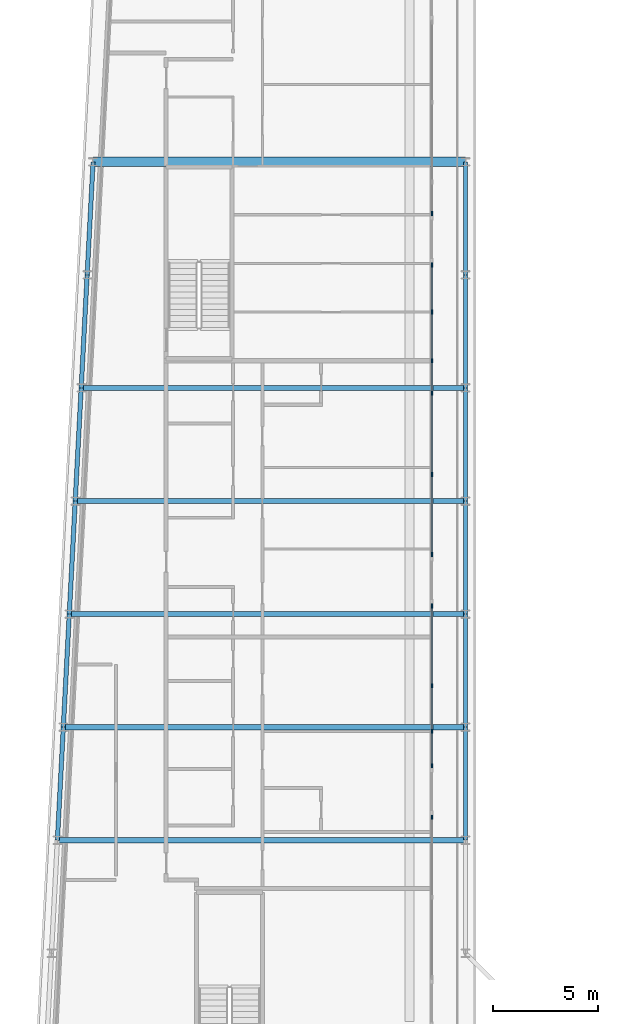
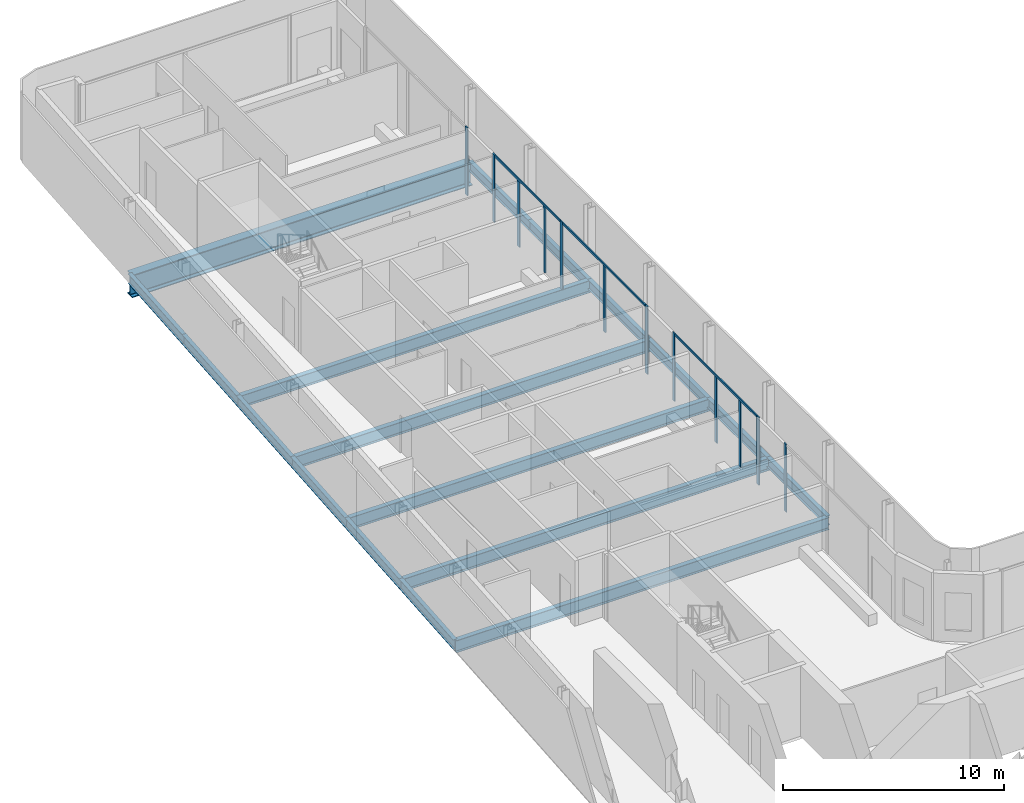
# One storey, part 7 of 21: 18 beams, 15 members, 5 elements without a shape of their own.
"""IFC4 building model written with IfcOpenShell, lengths in metres."""

from ifc_helpers import new_model, si_unit, direction, frame, origin, origin_2d, place, context, subcontext, project, spatial, rectangle, i_section, extrude, material, layer, layer_set, material_profile, profile_set, type_object, element, aggregate, save


model = new_model("IFC4")

# Units and contexts
model_context = context("Model", 3, precision=1e-05, world=origin(), true_north=direction((0.0, 1.0)))
body_context = subcontext(model_context, "Body", "Model", "MODEL_VIEW")
ifc_project = project(units=[si_unit("LENGTHUNIT", "METRE"), si_unit("AREAUNIT", "SQUARE_METRE"), si_unit("VOLUMEUNIT", "CUBIC_METRE"), si_unit("PLANEANGLEUNIT", "RADIAN"), si_unit("MASSUNIT", "GRAM", prefix="KILO")], contexts=[model_context])

# Site, building, storey
site_placement = place(None, origin())
site = spatial("IfcSite", under=ifc_project, at=site_placement, CompositionType="ELEMENT")
building_placement = place(site_placement, origin())
building = spatial("IfcBuilding", under=site, at=building_placement, Name="Kheshtan School and Residences Tower", CompositionType="ELEMENT")
storey_placement = place(building_placement, frame((0.0, 0.0, 298.10009765625)))
storey = spatial("IfcBuildingStorey", under=building, at=storey_placement, Name="L70", CompositionType="ELEMENT", Elevation=298.10009765625)

# Beams
ifc_material_1 = material(Name="Steel ASTM A992 Grade 50", Category="steel")
ifc_material_profile_1 = material_profile(ifc_material_1, i_section(OverallWidth=0.2529296875, OverallDepth=0.677978515625, WebThickness=0.01171875, FlangeThickness=0.016357421875, FilletRadius=0.0146484375, at=origin_2d()), Name="W690x125")
ifc_profile_set_1 = profile_set([ifc_material_profile_1], Name="Steel ASTM A992 Grade 50")
beam_type_1 = type_object("IfcBeamType", Name="Beam FB6 W690x125 ASTM A992 Grade 50", PredefinedType="BEAM", material=ifc_profile_set_1)
beam_1_placement = place(storey_placement, frame((47.60009765625, 78.0, -0.489013671875), z_axis=(-1.0, 0.0, 0.0), x_axis=(0.0, -1.0, 0.0)))
element("IfcBeam", 1, at=beam_1_placement, inside=storey, type_object=beam_type_1, Name="Floor beam C089", PredefinedType="BEAM", context=body_context, shape_type="SweptSolid", body=[
    extrude(i_section(OverallWidth=0.2529296875, OverallDepth=0.677978515625, WebThickness=0.01171875, FlangeThickness=0.016357421875, FilletRadius=0.0146484375, at=origin_2d()), origin(), (0.0, 0.0, 1.0), 18.357177734375),
])
beam_2_placement = place(storey_placement, frame((47.60009765625, 67.199951171875, -0.489013671875), z_axis=(-1.0, 0.0, 0.0), x_axis=(0.0, -1.0, 0.0)))
element("IfcBeam", 2, at=beam_2_placement, inside=storey, type_object=beam_type_1, Name="Floor beam C085", PredefinedType="BEAM", context=body_context, shape_type="SweptSolid", body=[
    extrude(i_section(OverallWidth=0.2529296875, OverallDepth=0.677978515625, WebThickness=0.01171875, FlangeThickness=0.016357421875, FilletRadius=0.0146484375, at=origin_2d()), origin(), (0.0, 0.0, 1.0), 18.926025390625),
])
beam_3_placement = place(storey_placement, frame((47.60009765625, 56.39990234375, -0.489013671875), z_axis=(-1.0, 0.0, 0.0), x_axis=(0.0, -1.0, 0.0)))
element("IfcBeam", 3, at=beam_3_placement, inside=storey, type_object=beam_type_1, Name="Floor beam C081", PredefinedType="BEAM", context=body_context, shape_type="SweptSolid", body=[
    extrude(i_section(OverallWidth=0.2529296875, OverallDepth=0.677978515625, WebThickness=0.01171875, FlangeThickness=0.016357421875, FilletRadius=0.0146484375, at=origin_2d()), origin(), (0.0, 0.0, 1.0), 19.494140625),
])
beam_4_placement = place(storey_placement, frame((28.389892578125, 61.800048828125, -0.489013671875), z_axis=(1.0, 0.0, 0.0), x_axis=(0.0, 1.0, 0.0)))
element("IfcBeam", 4, at=beam_4_placement, inside=storey, type_object=beam_type_1, Name="Floor beam C082", PredefinedType="BEAM", context=body_context, shape_type="SweptSolid", body=[
    extrude(i_section(OverallWidth=0.2529296875, OverallDepth=0.677978515625, WebThickness=0.01171875, FlangeThickness=0.016357421875, FilletRadius=0.0146484375, at=origin_2d()), origin(), (0.0, 0.0, 1.0), 19.210205078125),
])
beam_5_placement = place(storey_placement, frame((28.9580078125, 72.60009765625, -0.489013671875), z_axis=(1.0, 0.0, 0.0), x_axis=(0.0, 1.0, 0.0)))
element("IfcBeam", 5, at=beam_5_placement, inside=storey, type_object=beam_type_1, Name="Floor beam C086", PredefinedType="BEAM", context=body_context, shape_type="SweptSolid", body=[
    extrude(i_section(OverallWidth=0.2529296875, OverallDepth=0.677978515625, WebThickness=0.01171875, FlangeThickness=0.016357421875, FilletRadius=0.0146484375, at=origin_2d()), origin(), (0.0, 0.0, 1.0), 18.64208984375),
])
ifc_material_profile_2 = material_profile(ifc_material_1, i_section(OverallWidth=0.208984375, OverallDepth=0.532958984375, WebThickness=0.01025390625, FlangeThickness=0.015625, FilletRadius=0.013916015625, at=origin_2d()), Name="W530x92")
ifc_profile_set_2 = profile_set([ifc_material_profile_2], Name="Steel ASTM A992 Grade 50")
beam_type_2 = type_object("IfcBeamType", Name="Beam SP3 W530x92 ASTM A992 Grade 50", PredefinedType="BEAM", material=ifc_profile_set_2)
beam_6_placement = place(storey_placement, frame((47.60009765625, 88.800048828125, -0.41650390625), z_axis=(0.0, -1.0, 0.0), x_axis=(1.0, 0.0, 0.0)))
element("IfcBeam", 6, at=beam_6_placement, inside=storey, type_object=beam_type_2, Name="Spandrel beam C099-C091", PredefinedType="BEAM", context=body_context, shape_type="SweptSolid", body=[
    extrude(i_section(OverallWidth=0.208984375, OverallDepth=0.532958984375, WebThickness=0.01025390625, FlangeThickness=0.015625, FilletRadius=0.013916015625, at=origin_2d()), origin(), (0.0, 0.0, 1.0), 5.400146484375),
])
for number, where, z_axis, x_axis, name in (
    (7, (47.60009765625, 83.39990234375, -0.41650390625), (0.0, -1.0, 0.0), (1.0, 0.0, 0.0), "Spandrel beam C091-C089"),
    (8, (47.60009765625, 78.0, -0.41650390625), (0.0, -1.0, 0.0), (1.0, 0.0, 0.0), "Spandrel beam C089-C087"),
):
    element("IfcBeam", number, at=place(storey_placement, frame(where, z_axis=z_axis, x_axis=x_axis)), inside=storey, type_object=beam_type_2, Name=name, PredefinedType="BEAM", context=body_context, shape_type="SweptSolid", body=[
        extrude(i_section(OverallWidth=0.208984375, OverallDepth=0.532958984375, WebThickness=0.01025390625, FlangeThickness=0.015625, FilletRadius=0.013916015625, at=origin_2d()), origin(), (0.0, 0.0, 1.0), 5.39990234375),
    ])
beam_7_placement = place(storey_placement, frame((47.60009765625, 72.60009765625, -0.41650390625), z_axis=(0.0, -1.0, 0.0), x_axis=(1.0, 0.0, 0.0)))
element("IfcBeam", 9, at=beam_7_placement, inside=storey, type_object=beam_type_2, Name="Spandrel beam C087-C085", PredefinedType="BEAM", context=body_context, shape_type="SweptSolid", body=[
    extrude(i_section(OverallWidth=0.208984375, OverallDepth=0.532958984375, WebThickness=0.01025390625, FlangeThickness=0.015625, FilletRadius=0.013916015625, at=origin_2d()), origin(), (0.0, 0.0, 1.0), 5.400146484375),
])
beam_8_placement = place(storey_placement, frame((47.60009765625, 67.199951171875, -0.41650390625), z_axis=(0.0, -1.0, 0.0), x_axis=(1.0, 0.0, 0.0)))
element("IfcBeam", 10, at=beam_8_placement, inside=storey, type_object=beam_type_2, Name="Spandrel beam C085-C083", PredefinedType="BEAM", context=body_context, shape_type="SweptSolid", body=[
    extrude(i_section(OverallWidth=0.208984375, OverallDepth=0.532958984375, WebThickness=0.01025390625, FlangeThickness=0.015625, FilletRadius=0.013916015625, at=origin_2d()), origin(), (0.0, 0.0, 1.0), 5.39990234375),
])
beam_9_placement = place(storey_placement, frame((47.60009765625, 61.800048828125, -0.41650390625), z_axis=(0.0, -1.0, 0.0), x_axis=(1.0, 0.0, 0.0)))
element("IfcBeam", 11, at=beam_9_placement, inside=storey, type_object=beam_type_2, Name="Spandrel beam C083-C081", PredefinedType="BEAM", context=body_context, shape_type="SweptSolid", body=[
    extrude(i_section(OverallWidth=0.208984375, OverallDepth=0.532958984375, WebThickness=0.01025390625, FlangeThickness=0.015625, FilletRadius=0.013916015625, at=origin_2d()), origin(), (0.0, 0.0, 1.0), 5.400146484375),
])
beam_10_placement = place(storey_placement, frame((28.10595703125, 56.39990234375, -0.41650390625), z_axis=(0.05250670125, 0.998620571751, 0.0), x_axis=(-0.998620571751, 0.05250670125, 0.0)))
element("IfcBeam", 12, at=beam_10_placement, inside=storey, type_object=beam_type_2, Name="Spandrel beam C080-C082", PredefinedType="BEAM", context=body_context, shape_type="SweptSolid", body=[
    extrude(i_section(OverallWidth=0.208984375, OverallDepth=0.532958984375, WebThickness=0.01025390625, FlangeThickness=0.015625, FilletRadius=0.013916015625, at=origin_2d()), origin(), (0.0, 0.0, 1.0), 5.40771484375),
])
beam_11_placement = place(storey_placement, frame((28.389892578125, 61.800048828125, -0.41650390625), z_axis=(0.052554093665, 0.998618078766, 0.0), x_axis=(-0.998618078766, 0.052554093665, 0.0)))
element("IfcBeam", 13, at=beam_11_placement, inside=storey, type_object=beam_type_2, Name="Spandrel beam C082-C084", PredefinedType="BEAM", context=body_context, shape_type="SweptSolid", body=[
    extrude(i_section(OverallWidth=0.208984375, OverallDepth=0.532958984375, WebThickness=0.01025390625, FlangeThickness=0.015625, FilletRadius=0.013916015625, at=origin_2d()), origin(), (0.0, 0.0, 1.0), 5.407470703125),
])
beam_12_placement = place(storey_placement, frame((28.674072265625, 67.199951171875, -0.41650390625), z_axis=(0.05250670125, 0.998620571751, 0.0), x_axis=(-0.998620571751, 0.05250670125, 0.0)))
element("IfcBeam", 14, at=beam_12_placement, inside=storey, type_object=beam_type_2, Name="Spandrel beam C084-C086", PredefinedType="BEAM", context=body_context, shape_type="SweptSolid", body=[
    extrude(i_section(OverallWidth=0.208984375, OverallDepth=0.532958984375, WebThickness=0.01025390625, FlangeThickness=0.015625, FilletRadius=0.013916015625, at=origin_2d()), origin(), (0.0, 0.0, 1.0), 5.40771484375),
])
for number, where, z_axis, x_axis, name in (
    (15, (28.9580078125, 72.60009765625, -0.41650390625), (0.052689166816, 0.998610961136, 0.0), (-0.998610961136, 0.052689166816, 0.0), "Spandrel beam C086-C088"),
    (16, (29.242919921875, 78.0, -0.41650390625), (0.052554093665, 0.998618078766, 0.0), (-0.998618078766, 0.052554093665, 0.0), "Spandrel beam C088-C090"),
):
    element("IfcBeam", number, at=place(storey_placement, frame(where, z_axis=z_axis, x_axis=x_axis)), inside=storey, type_object=beam_type_2, Name=name, PredefinedType="BEAM", context=body_context, shape_type="SweptSolid", body=[
        extrude(i_section(OverallWidth=0.208984375, OverallDepth=0.532958984375, WebThickness=0.01025390625, FlangeThickness=0.015625, FilletRadius=0.013916015625, at=origin_2d()), origin(), (0.0, 0.0, 1.0), 5.407470703125),
    ])
beam_13_placement = place(storey_placement, frame((29.527099609375, 83.39990234375, -0.41650390625), z_axis=(0.05250670125, 0.998620571751, 0.0), x_axis=(-0.998620571751, 0.05250670125, 0.0)))
element("IfcBeam", 17, at=beam_13_placement, inside=storey, type_object=beam_type_2, Name="Spandrel beam C090-C098", PredefinedType="BEAM", context=body_context, shape_type="SweptSolid", body=[
    extrude(i_section(OverallWidth=0.208984375, OverallDepth=0.532958984375, WebThickness=0.01025390625, FlangeThickness=0.015625, FilletRadius=0.013916015625, at=origin_2d()), origin(), (0.0, 0.0, 1.0), 5.40771484375),
])

# Curtain wall, member
ifc_material_2 = material(Name="Clear low-e glass in thermally broken aluminium frame", Category="aluminium")
ifc_layer = layer(ifc_material_2, 0.199951171875)
ifc_layer_set = layer_set([ifc_layer], Name="Curtain wall CW-L")
curtain_wall_type = type_object("IfcCurtainWallType", Name="Curtain wall CW-L", PredefinedType="NOTDEFINED", material=ifc_layer_set)
curtain_wall_1_placement = place(storey_placement, origin())
curtain_wall_1 = element("IfcCurtainWall", 18, at=curtain_wall_1_placement, inside=storey, type_object=curtain_wall_type, Name="Curtain wall CWL8a", PredefinedType="NOTDEFINED")
ifc_material_3 = material(Name="Thermally broken aluminium, dark bronze anodised", Category="aluminium")
ifc_material_profile_3 = material_profile(ifc_material_3, rectangle(XDim=0.06005859375, YDim=0.199951171875, at=origin_2d()), Name="CW-L mullion 60x200")
ifc_profile_set_3 = profile_set([ifc_material_profile_3], Name="Thermally broken aluminium, dark bronze anodised")
member_type_1 = type_object("IfcMemberType", Name="CW-L mullion 60x200", PredefinedType="MULLION", material=ifc_profile_set_3)
member_1_placement = place(storey_placement, frame((46.0, 86.3359375, 0.0), z_axis=(0.0, 0.0, 1.0), x_axis=(1.0, 0.0, 0.0)))
member_1 = element("IfcMember", 19, at=member_1_placement, type_object=member_type_1, Name="CWL8a mullion 2", PredefinedType="MULLION", context=body_context, shape_type="SweptSolid", body=[
    extrude(rectangle(XDim=0.06005859375, YDim=0.199951171875, at=origin_2d()), origin(), (0.0, 0.0, 1.0), 3.75),
])
aggregate(curtain_wall_1, [member_1])

# Curtain wall, members
curtain_wall_2_placement = place(storey_placement, origin())
curtain_wall_2 = element("IfcCurtainWall", 20, at=curtain_wall_2_placement, inside=storey, type_object=curtain_wall_type, Name="Curtain wall CWL8b", PredefinedType="NOTDEFINED")
member_2_placement = place(storey_placement, frame((46.0, 83.8759765625, 0.0), z_axis=(0.0, 0.0, 1.0), x_axis=(1.0, 0.0, 0.0)))
member_2 = element("IfcMember", 21, at=member_2_placement, type_object=member_type_1, Name="CWL8b mullion 1", PredefinedType="MULLION", context=body_context, shape_type="SweptSolid", body=[
    extrude(rectangle(XDim=0.06005859375, YDim=0.199951171875, at=origin_2d()), origin(), (0.0, 0.0, 1.0), 3.75),
])
member_3_placement = place(storey_placement, frame((46.0, 81.625, 0.0), z_axis=(0.0, 0.0, 1.0), x_axis=(1.0, 0.0, 0.0)))
member_3 = element("IfcMember", 22, at=member_3_placement, type_object=member_type_1, Name="CWL8b mullion 2", PredefinedType="MULLION", context=body_context, shape_type="SweptSolid", body=[
    extrude(rectangle(XDim=0.06005859375, YDim=0.199951171875, at=origin_2d()), origin(), (0.0, 0.0, 1.0), 3.6298828125),
])
member_4_placement = place(storey_placement, frame((46.0, 79.300048828125, 0.0), z_axis=(0.0, 0.0, 1.0), x_axis=(1.0, 0.0, 0.0)))
member_4 = element("IfcMember", 23, at=member_4_placement, type_object=member_type_1, Name="CWL8b mullion 3", PredefinedType="MULLION", context=body_context, shape_type="SweptSolid", body=[
    extrude(rectangle(XDim=0.06005859375, YDim=0.199951171875, at=origin_2d()), origin(), (0.0, 0.0, 1.0), 3.6298828125),
])
member_5_placement = place(storey_placement, frame((46.0, 77.741943359375, 0.0), z_axis=(0.0, 0.0, 1.0), x_axis=(1.0, 0.0, 0.0)))
member_5 = element("IfcMember", 24, at=member_5_placement, type_object=member_type_1, Name="CWL8b mullion 4", PredefinedType="MULLION", context=body_context, shape_type="SweptSolid", body=[
    extrude(rectangle(XDim=0.06005859375, YDim=0.199951171875, at=origin_2d()), origin(), (0.0, 0.0, 1.0), 3.75),
])

curtain_wall_3_placement = place(storey_placement, origin())
curtain_wall_3 = element("IfcCurtainWall", 25, at=curtain_wall_3_placement, inside=storey, type_object=curtain_wall_type, Name="Curtain wall CWL8", PredefinedType="NOTDEFINED")
member_6_placement = place(storey_placement, frame((46.0, 73.864990234375, 0.0), z_axis=(0.0, 0.0, 1.0), x_axis=(1.0, 0.0, 0.0)))
member_6 = element("IfcMember", 26, at=member_6_placement, type_object=member_type_1, Name="CWL8 mullion 2", PredefinedType="MULLION", context=body_context, shape_type="SweptSolid", body=[
    extrude(rectangle(XDim=0.06005859375, YDim=0.199951171875, at=origin_2d()), origin(), (0.0, 0.0, 1.0), 3.6298828125),
])
member_7_placement = place(storey_placement, frame((46.0, 70.048095703125, 0.0), z_axis=(0.0, 0.0, 1.0), x_axis=(1.0, 0.0, 0.0)))
member_7 = element("IfcMember", 27, at=member_7_placement, type_object=member_type_1, Name="CWL8 mullion 3", PredefinedType="MULLION", context=body_context, shape_type="SweptSolid", body=[
    extrude(rectangle(XDim=0.06005859375, YDim=0.199951171875, at=origin_2d()), origin(), (0.0, 0.0, 1.0), 3.75),
])

curtain_wall_4_placement = place(storey_placement, origin())
curtain_wall_4 = element("IfcCurtainWall", 28, at=curtain_wall_4_placement, inside=storey, type_object=curtain_wall_type, Name="Curtain wall CWL8c", PredefinedType="NOTDEFINED")
member_8_placement = place(storey_placement, frame((46.0, 67.587890625, 0.0), z_axis=(0.0, 0.0, 1.0), x_axis=(1.0, 0.0, 0.0)))
member_8 = element("IfcMember", 29, at=member_8_placement, type_object=member_type_1, Name="CWL8c mullion 1", PredefinedType="MULLION", context=body_context, shape_type="SweptSolid", body=[
    extrude(rectangle(XDim=0.06005859375, YDim=0.199951171875, at=origin_2d()), origin(), (0.0, 0.0, 1.0), 3.75),
])
member_9_placement = place(storey_placement, frame((46.0, 63.77099609375, 0.0), z_axis=(0.0, 0.0, 1.0), x_axis=(1.0, 0.0, 0.0)))
member_9 = element("IfcMember", 30, at=member_9_placement, type_object=member_type_1, Name="CWL8c mullion 2", PredefinedType="MULLION", context=body_context, shape_type="SweptSolid", body=[
    extrude(rectangle(XDim=0.06005859375, YDim=0.199951171875, at=origin_2d()), origin(), (0.0, 0.0, 1.0), 3.6298828125),
])
member_10_placement = place(storey_placement, frame((46.0, 61.60009765625, 0.0), z_axis=(0.0, 0.0, 1.0), x_axis=(1.0, 0.0, 0.0)))
member_10 = element("IfcMember", 31, at=member_10_placement, type_object=member_type_1, Name="CWL8c mullion 3", PredefinedType="MULLION", context=body_context, shape_type="SweptSolid", body=[
    extrude(rectangle(XDim=0.06005859375, YDim=0.199951171875, at=origin_2d()), origin(), (0.0, 0.0, 1.0), 3.6298828125),
])
member_11_placement = place(storey_placement, frame((46.0, 59.9541015625, 0.0), z_axis=(0.0, 0.0, 1.0), x_axis=(1.0, 0.0, 0.0)))
member_11 = element("IfcMember", 32, at=member_11_placement, type_object=member_type_1, Name="CWL8c mullion 4", PredefinedType="MULLION", context=body_context, shape_type="SweptSolid", body=[
    extrude(rectangle(XDim=0.06005859375, YDim=0.199951171875, at=origin_2d()), origin(), (0.0, 0.0, 1.0), 3.75),
])

# Curtain wall, member
curtain_wall_5_placement = place(storey_placement, origin())
curtain_wall_5 = element("IfcCurtainWall", 33, at=curtain_wall_5_placement, inside=storey, type_object=curtain_wall_type, Name="Curtain wall CWL8", PredefinedType="NOTDEFINED")
member_12_placement = place(storey_placement, frame((46.0, 57.493896484375, 0.0), z_axis=(0.0, 0.0, 1.0), x_axis=(1.0, 0.0, 0.0)))
member_12 = element("IfcMember", 34, at=member_12_placement, type_object=member_type_1, Name="CWL8 mullion 1", PredefinedType="MULLION", context=body_context, shape_type="SweptSolid", body=[
    extrude(rectangle(XDim=0.06005859375, YDim=0.199951171875, at=origin_2d()), origin(), (0.0, 0.0, 1.0), 3.75),
])
aggregate(curtain_wall_5, [member_12])

# Member
ifc_material_profile_4 = material_profile(ifc_material_3, rectangle(XDim=0.06005859375, YDim=0.1201171875, at=origin_2d()), Name="CW-L transom 60x120")
ifc_profile_set_4 = profile_set([ifc_material_profile_4], Name="Thermally broken aluminium, dark bronze anodised")
member_type_2 = type_object("IfcMemberType", Name="CW-L transom 60x120", PredefinedType="USERDEFINED", material=ifc_profile_set_4)
member_13_placement = place(storey_placement, frame((46.0, 83.845947265625, 3.68994140625), z_axis=(0.0, -1.0, 0.0), x_axis=(1.0, 0.0, 0.0)))
member_13 = element("IfcMember", 35, at=member_13_placement, type_object=member_type_2, Name="CWL8b transom 1", ObjectType="TRANSOM", PredefinedType="USERDEFINED", context=body_context, shape_type="SweptSolid", body=[
    extrude(rectangle(XDim=0.06005859375, YDim=0.1201171875, at=origin_2d()), origin(), (0.0, 0.0, 1.0), 6.073974609375),
])

aggregate(curtain_wall_2, [member_2, member_3, member_4, member_5, member_13])

member_14_placement = place(storey_placement, frame((46.0, 77.7119140625, 3.68994140625), z_axis=(0.0, -1.0, 0.0), x_axis=(1.0, 0.0, 0.0)))
member_14 = element("IfcMember", 36, at=member_14_placement, type_object=member_type_2, Name="CWL8 transom 1", ObjectType="TRANSOM", PredefinedType="USERDEFINED", context=body_context, shape_type="SweptSolid", body=[
    extrude(rectangle(XDim=0.06005859375, YDim=0.1201171875, at=origin_2d()), origin(), (0.0, 0.0, 1.0), 7.634033203125),
])

aggregate(curtain_wall_3, [member_6, member_7, member_14])

member_15_placement = place(storey_placement, frame((46.0, 67.55810546875, 3.68994140625), z_axis=(0.0, -1.0, 0.0), x_axis=(1.0, 0.0, 0.0)))
member_15 = element("IfcMember", 37, at=member_15_placement, type_object=member_type_2, Name="CWL8c transom 1", ObjectType="TRANSOM", PredefinedType="USERDEFINED", context=body_context, shape_type="SweptSolid", body=[
    extrude(rectangle(XDim=0.06005859375, YDim=0.1201171875, at=origin_2d()), origin(), (0.0, 0.0, 1.0), 7.57421875),
])

aggregate(curtain_wall_4, [member_8, member_9, member_10, member_11, member_15])

# Beam
ifc_material_profile_5 = material_profile(ifc_material_1, i_section(OverallWidth=0.449951171875, OverallDepth=1.25, WebThickness=0.02490234375, FlangeThickness=0.044921875, FilletRadius=0.03759765625, at=origin_2d()), Name="WWF1250x546")
ifc_profile_set_5 = profile_set([ifc_material_profile_5], Name="Steel ASTM A992 Grade 50")
beam_type_3 = type_object("IfcBeamType", Name="Transfer girder TG4 WWF1250x546 ASTM A992 Grade 50", PredefinedType="BEAM", material=ifc_profile_set_5)
beam_14_placement = place(storey_placement, frame((29.81103515625, 88.800048828125, -0.775146484375), z_axis=(1.0, 0.0, 0.0), x_axis=(0.0, 1.0, 0.0)))
element("IfcBeam", 38, at=beam_14_placement, inside=storey, type_object=beam_type_3, Name="Transfer girder C098-C099", PredefinedType="BEAM", context=body_context, shape_type="SweptSolid", body=[
    extrude(i_section(OverallWidth=0.449951171875, OverallDepth=1.25, WebThickness=0.02490234375, FlangeThickness=0.044921875, FilletRadius=0.03759765625, at=origin_2d()), origin(), (0.0, 0.0, 1.0), 17.7890625),
])

save(model, "model.ifc")
